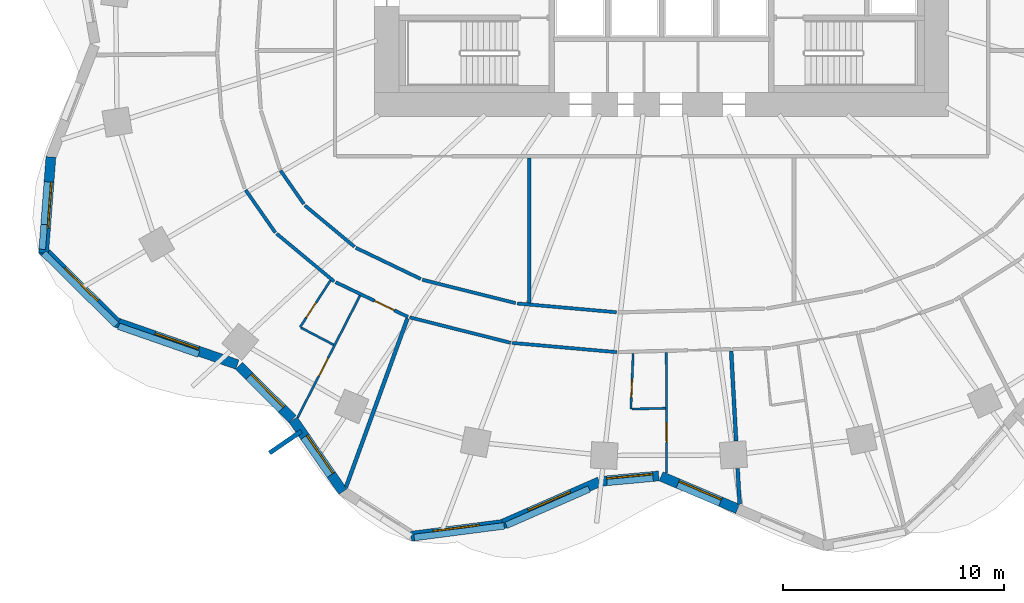
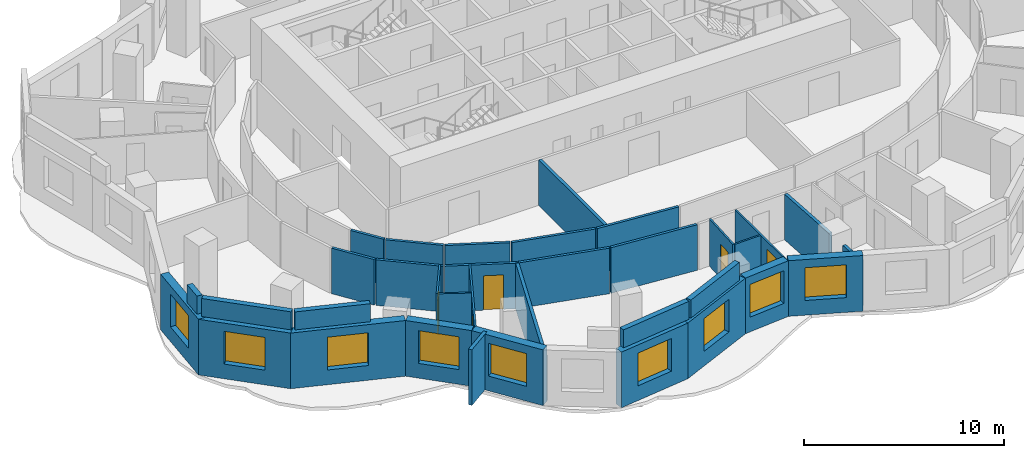
# One storey, part 3 of 10: 35 walls, 9 windows, 5 doors, 14 openings.
"""IFC4 building model written with IfcOpenShell, lengths in metres."""

from ifc_helpers import new_model, si_unit, direction, frame, frame_2d, origin, place, context, subcontext, project, spatial, rectangle, extrude, material, layer, layer_set, type_object, element, fill, save


model = new_model("IFC4")

# Units and contexts
model_context = context("Model", 3, precision=1e-05, world=origin(), true_north=direction((0.0, 1.0)))
body_context = subcontext(model_context, "Body", "Model", "MODEL_VIEW")
ifc_project = project(units=[si_unit("LENGTHUNIT", "METRE"), si_unit("AREAUNIT", "SQUARE_METRE"), si_unit("VOLUMEUNIT", "CUBIC_METRE"), si_unit("PLANEANGLEUNIT", "RADIAN"), si_unit("MASSUNIT", "GRAM", prefix="KILO")], contexts=[model_context])

# Site, building, storey
site_placement = place(None, origin())
site = spatial("IfcSite", under=ifc_project, at=site_placement, CompositionType="ELEMENT")
building_placement = place(site_placement, origin())
building = spatial("IfcBuilding", under=site, at=building_placement, Name="Rubra Terraces Tower", CompositionType="ELEMENT")
storey_placement = place(building_placement, frame((0.0, 0.0, 110.39990234375)))
storey = spatial("IfcBuildingStorey", under=building, at=storey_placement, Name="L26", CompositionType="ELEMENT", Elevation=110.39990234375)

# Walls
ifc_material_1 = material(Name="Twin plasterboard on staggered steel stud, acoustic mineral wool", Category="steel")
ifc_layer_1 = layer(ifc_material_1, 0.175048828125)
ifc_layer_set_1 = layer_set([ifc_layer_1], Name="Twin plasterboard on staggered steel stud, acoustic mineral wool")
wall_type_1 = type_object("IfcWallType", Name="ACOUSTIC PARTY WALL 175", PredefinedType="PARTITIONING", material=ifc_layer_set_1)
wall_1_placement = place(storey_placement, frame((-14.30078125, -19.7890625, 0.0), z_axis=(0.0, 0.0, 1.0), x_axis=(0.342254048829, 0.939607453174, 0.0)))
element("IfcWall", 1, at=wall_1_placement, inside=storey, type_object=wall_type_1, Name="PARTITION", PredefinedType="PARTITIONING", context=body_context, shape_type="SweptSolid", body=[
    extrude(rectangle(XDim=8.132080078125, YDim=0.175048828125, at=frame_2d((4.06591796875, 0.0))), origin(), (0.0, 0.0, 1.0), 2.7841796875),
])
wall_2_placement = place(storey_placement, frame((3.5322265625, -20.56591796875, 0.0), z_axis=(0.0, 0.0, 1.0), x_axis=(-0.054855735566, 0.998494290557, 0.0)))
element("IfcWall", 2, at=wall_2_placement, inside=storey, type_object=wall_type_1, Name="PARTITION", PredefinedType="PARTITIONING", context=body_context, shape_type="SweptSolid", body=[
    extrude(rectangle(XDim=1.62890625, YDim=0.175048828125, at=frame_2d((0.814453125, 0.0))), origin(), (0.0, 0.0, 1.0), 2.7841796875),
])
wall_3_placement = place(storey_placement, frame((3.374755859375, -17.701171875, 0.0), z_axis=(0.0, 0.0, 1.0), x_axis=(-0.054881910862, 0.998492852183, 0.0)))
element("IfcWall", 3, at=wall_3_placement, inside=storey, type_object=wall_type_1, Name="PARTITION", PredefinedType="PARTITIONING", context=body_context, shape_type="SweptSolid", body=[
    extrude(rectangle(XDim=4.092529296875, YDim=0.175048828125, at=frame_2d((2.04638671875, 0.0))), origin(), (0.0, 0.0, 1.0), 2.7841796875),
])
wall_4_placement = place(storey_placement, frame((-6.0, -11.4423828125, 0.0), z_axis=(0.0, 0.0, 1.0), x_axis=(0.0, 1.0, 0.0)))
element("IfcWall", 4, at=wall_4_placement, inside=storey, type_object=wall_type_1, Name="PARTITION", PredefinedType="PARTITIONING", context=body_context, shape_type="SweptSolid", body=[
    extrude(rectangle(XDim=6.5673828125, YDim=0.175048828125, at=frame_2d((3.28369140625, 0.0))), origin(), (0.0, 0.0, 1.0), 2.7841796875),
])

# Wall, opening, window
ifc_material_2 = material(Name="Brick masonry red-brown", Category="masonry")
ifc_layer_2 = layer(ifc_material_2, 0.449951171875)
ifc_layer_set_2 = layer_set([ifc_layer_2], Name="Brick masonry red-brown")
wall_type_2 = type_object("IfcWallType", Name="Brick facade wall 450", PredefinedType="SOLIDWALL", material=ifc_layer_set_2)
wall_5_placement = place(storey_placement, frame((-27.671142578125, -4.831298828125, 0.0), z_axis=(0.0, 0.0, 1.0), x_axis=(-0.075658122047, -0.997133816781, 0.0)))
wall_5 = element("IfcWall", 5, at=wall_5_placement, inside=storey, type_object=wall_type_2, Name="Facade wall L26 bay 22", PredefinedType="SOLIDWALL", context=body_context, shape_type="SweptSolid", body=[
    extrude(rectangle(XDim=4.369140625, YDim=0.449951171875, at=frame_2d((2.1845703125, 0.0))), origin(), (0.0, 0.0, 1.0), 3.400146484375),
])
opening_1_placement = place(wall_5_placement, frame((1.134521484375, 0.0, 0.89990234375)))
opening_1 = element("IfcOpeningElement", 6, at=opening_1_placement, cuts=wall_5, Name="Opening W1", PredefinedType="OPENING", context=body_context, shape_type="SweptSolid", body=[
    extrude(rectangle(XDim=2.10009765625, YDim=2.0, at=frame_2d((1.050048828125, 1.0))), frame((0.0, 0.23486328125, 0.0), z_axis=(0.0, -1.0, 0.0), x_axis=(1.0, 0.0, 0.0)), (0.0, 0.0, 1.0), 0.469970703125),
])
ifc_material_3 = material(Name="Clear glass in aluminium frame", Category="aluminium")
window_type = type_object("IfcWindowType", Name="Fixed deep-set window 2100 x 2000", PartitioningType="SINGLE_PANEL", PredefinedType="WINDOW", material=ifc_material_3)
window_1_placement = place(opening_1_placement, origin())
window_1 = element("IfcWindow", 7, at=window_1_placement, inside=storey, type_object=window_type, Name="Window L26 bay 22", OverallHeight=2.0, OverallWidth=2.10009765625, PartitioningType="SINGLE_PANEL", PredefinedType="WINDOW", context=body_context, shape_type="SweptSolid", body=[
    extrude(rectangle(XDim=2.10009765625, YDim=2.0, at=frame_2d((1.050048828125, 1.0))), frame((0.0, 0.135009765625, 0.0), z_axis=(0.0, -1.0, 0.0), x_axis=(1.0, 0.0, 0.0)), (0.0, 0.0, 1.0), 0.06005859375),
])
fill(opening_1, window_1)

wall_6_placement = place(storey_placement, frame((-28.06787109375, -9.010986328125, 0.0), z_axis=(0.0, 0.0, 1.0), x_axis=(0.711293453435, -0.702895172199, 0.0)))
wall_6 = element("IfcWall", 8, at=wall_6_placement, inside=storey, type_object=wall_type_2, Name="Facade wall L26 bay 23", PredefinedType="SOLIDWALL", context=body_context, shape_type="SweptSolid", body=[
    extrude(rectangle(XDim=4.767578125, YDim=0.449951171875, at=frame_2d((2.3837890625, 0.0))), origin(), (0.0, 0.0, 1.0), 3.400146484375),
])
opening_2_placement = place(wall_6_placement, frame((1.333740234375, 0.0, 0.89990234375)))
opening_2 = element("IfcOpeningElement", 9, at=opening_2_placement, cuts=wall_6, Name="Opening W1", PredefinedType="OPENING", context=body_context, shape_type="SweptSolid", body=[
    extrude(rectangle(XDim=2.10009765625, YDim=2.0, at=frame_2d((1.050048828125, 1.0))), frame((0.0, 0.23486328125, 0.0), z_axis=(0.0, -1.0, 0.0), x_axis=(1.0, 0.0, 0.0)), (0.0, 0.0, 1.0), 0.469970703125),
])
window_2_placement = place(opening_2_placement, origin())
window_2 = element("IfcWindow", 10, at=window_2_placement, inside=storey, type_object=window_type, Name="Window L26 bay 23", OverallHeight=2.0, OverallWidth=2.10009765625, PartitioningType="SINGLE_PANEL", PredefinedType="WINDOW", context=body_context, shape_type="SweptSolid", body=[
    extrude(rectangle(XDim=2.10009765625, YDim=2.0, at=frame_2d((1.050048828125, 1.0))), frame((0.0, 0.135009765625, 0.0), z_axis=(0.0, -1.0, 0.0), x_axis=(1.0, 0.0, 0.0)), (0.0, 0.0, 1.0), 0.06005859375),
])
fill(opening_2, window_2)

wall_7_placement = place(storey_placement, frame((-24.760986328125, -12.309814453125, 0.0), z_axis=(0.0, 0.0, 1.0), x_axis=(0.944397305248, -0.328806523414, 0.0)))
wall_7 = element("IfcWall", 11, at=wall_7_placement, inside=storey, type_object=wall_type_2, Name="Facade wall L26 bay 24", PredefinedType="SOLIDWALL", context=body_context, shape_type="SweptSolid", body=[
    extrude(rectangle(XDim=5.862060546875, YDim=0.449951171875, at=frame_2d((2.93115234375, 0.0))), origin(), (0.0, 0.0, 1.0), 3.400146484375),
])
opening_3_placement = place(wall_7_placement, frame((1.881103515625, 0.0, 0.89990234375)))
opening_3 = element("IfcOpeningElement", 12, at=opening_3_placement, cuts=wall_7, Name="Opening W1", PredefinedType="OPENING", context=body_context, shape_type="SweptSolid", body=[
    extrude(rectangle(XDim=2.10009765625, YDim=2.0, at=frame_2d((1.050048828125, 1.0))), frame((0.0, 0.23486328125, 0.0), z_axis=(0.0, -1.0, 0.0), x_axis=(1.0, 0.0, 0.0)), (0.0, 0.0, 1.0), 0.469970703125),
])
window_3_placement = place(opening_3_placement, origin())
window_3 = element("IfcWindow", 13, at=window_3_placement, inside=storey, type_object=window_type, Name="Window L26 bay 24", OverallHeight=2.0, OverallWidth=2.10009765625, PartitioningType="SINGLE_PANEL", PredefinedType="WINDOW", context=body_context, shape_type="SweptSolid", body=[
    extrude(rectangle(XDim=2.10009765625, YDim=2.0, at=frame_2d((1.050048828125, 1.0))), frame((0.0, 0.135009765625, 0.0), z_axis=(0.0, -1.0, 0.0), x_axis=(1.0, 0.0, 0.0)), (0.0, 0.0, 1.0), 0.06005859375),
])
fill(opening_3, window_3)

wall_8_placement = place(storey_placement, frame((-19.145263671875, -14.285400390625, 0.0), z_axis=(0.0, 0.0, 1.0), x_axis=(0.707427521052, -0.706785895769, 0.0)))
wall_8 = element("IfcWall", 14, at=wall_8_placement, inside=storey, type_object=wall_type_2, Name="Facade wall L26 bay 25", PredefinedType="SOLIDWALL", context=body_context, shape_type="SweptSolid", body=[
    extrude(rectangle(XDim=3.424560546875, YDim=0.449951171875, at=frame_2d((1.71240234375, 0.0))), origin(), (0.0, 0.0, 1.0), 3.400146484375),
])
opening_4_placement = place(wall_8_placement, frame((0.662353515625, 0.0, 0.89990234375)))
opening_4 = element("IfcOpeningElement", 15, at=opening_4_placement, cuts=wall_8, Name="Opening W1", PredefinedType="OPENING", context=body_context, shape_type="SweptSolid", body=[
    extrude(rectangle(XDim=2.10009765625, YDim=2.0, at=frame_2d((1.050048828125, 1.0))), frame((0.0, 0.23486328125, 0.0), z_axis=(0.0, -1.0, 0.0), x_axis=(1.0, 0.0, 0.0)), (0.0, 0.0, 1.0), 0.469970703125),
])
window_4_placement = place(opening_4_placement, origin())
window_4 = element("IfcWindow", 16, at=window_4_placement, inside=storey, type_object=window_type, Name="Window L26 bay 25", OverallHeight=2.0, OverallWidth=2.10009765625, PartitioningType="SINGLE_PANEL", PredefinedType="WINDOW", context=body_context, shape_type="SweptSolid", body=[
    extrude(rectangle(XDim=2.10009765625, YDim=2.0, at=frame_2d((1.050048828125, 1.0))), frame((0.0, 0.135009765625, 0.0), z_axis=(0.0, -1.0, 0.0), x_axis=(1.0, 0.0, 0.0)), (0.0, 0.0, 1.0), 0.06005859375),
])
fill(opening_4, window_4)

wall_9_placement = place(storey_placement, frame((-16.695068359375, -16.73681640625, 0.0), z_axis=(0.0, 0.0, 1.0), x_axis=(0.569652445465, -0.821885692402, 0.0)))
wall_9 = element("IfcWall", 17, at=wall_9_placement, inside=storey, type_object=wall_type_2, Name="Facade wall L26 bay 26", PredefinedType="SOLIDWALL", context=body_context, shape_type="SweptSolid", body=[
    extrude(rectangle(XDim=3.958740234375, YDim=0.449951171875, at=frame_2d((1.9794921875, 0.0))), origin(), (0.0, 0.0, 1.0), 3.400146484375),
])
opening_5_placement = place(wall_9_placement, frame((0.929443359375, 0.0, 0.89990234375)))
opening_5 = element("IfcOpeningElement", 18, at=opening_5_placement, cuts=wall_9, Name="Opening W1", PredefinedType="OPENING", context=body_context, shape_type="SweptSolid", body=[
    extrude(rectangle(XDim=2.10009765625, YDim=2.0, at=frame_2d((1.050048828125, 1.0))), frame((0.0, 0.23486328125, 0.0), z_axis=(0.0, -1.0, 0.0), x_axis=(1.0, 0.0, 0.0)), (0.0, 0.0, 1.0), 0.469970703125),
])
window_5_placement = place(opening_5_placement, origin())
window_5 = element("IfcWindow", 19, at=window_5_placement, inside=storey, type_object=window_type, Name="Window L26 bay 26", OverallHeight=2.0, OverallWidth=2.10009765625, PartitioningType="SINGLE_PANEL", PredefinedType="WINDOW", context=body_context, shape_type="SweptSolid", body=[
    extrude(rectangle(XDim=2.10009765625, YDim=2.0, at=frame_2d((1.050048828125, 1.0))), frame((0.0, 0.135009765625, 0.0), z_axis=(0.0, -1.0, 0.0), x_axis=(1.0, 0.0, 0.0)), (0.0, 0.0, 1.0), 0.06005859375),
])
fill(opening_5, window_5)

wall_10_placement = place(storey_placement, frame((-11.36181640625, -22.017822265625, 0.0), z_axis=(0.0, 0.0, 1.0), x_axis=(0.991724958022, 0.128380713645, 0.0)))
wall_10 = element("IfcWall", 20, at=wall_10_placement, inside=storey, type_object=wall_type_2, Name="Facade wall L26 bay 28", PredefinedType="SOLIDWALL", context=body_context, shape_type="SweptSolid", body=[
    extrude(rectangle(XDim=4.181884765625, YDim=0.449951171875, at=frame_2d((2.0908203125, 0.0))), origin(), (0.0, 0.0, 1.0), 3.400146484375),
])
opening_6_placement = place(wall_10_placement, frame((1.041015625, 0.0, 0.89990234375)))
opening_6 = element("IfcOpeningElement", 21, at=opening_6_placement, cuts=wall_10, Name="Opening W1", PredefinedType="OPENING", context=body_context, shape_type="SweptSolid", body=[
    extrude(rectangle(XDim=2.10009765625, YDim=2.0, at=frame_2d((1.050048828125, 1.0))), frame((0.0, 0.23486328125, 0.0), z_axis=(0.0, -1.0, 0.0), x_axis=(1.0, 0.0, 0.0)), (0.0, 0.0, 1.0), 0.469970703125),
])
window_6_placement = place(opening_6_placement, origin())
window_6 = element("IfcWindow", 22, at=window_6_placement, inside=storey, type_object=window_type, Name="Window L26 bay 28", OverallHeight=2.0, OverallWidth=2.10009765625, PartitioningType="SINGLE_PANEL", PredefinedType="WINDOW", context=body_context, shape_type="SweptSolid", body=[
    extrude(rectangle(XDim=2.10009765625, YDim=2.0, at=frame_2d((1.050048828125, 1.0))), frame((0.0, 0.135009765625, 0.0), z_axis=(0.0, -1.0, 0.0), x_axis=(1.0, 0.0, 0.0)), (0.0, 0.0, 1.0), 0.06005859375),
])
fill(opening_6, window_6)

wall_11_placement = place(storey_placement, frame((-7.27587890625, -21.498046875, 0.0), z_axis=(0.0, 0.0, 1.0), x_axis=(0.915872941312, 0.401468249519, 0.0)))
wall_11 = element("IfcWall", 23, at=wall_11_placement, inside=storey, type_object=wall_type_2, Name="Facade wall L26 bay 29", PredefinedType="SOLIDWALL", context=body_context, shape_type="SweptSolid", body=[
    extrude(rectangle(XDim=4.870361328125, YDim=0.449951171875, at=frame_2d((2.43505859375, 0.0))), origin(), (0.0, 0.0, 1.0), 3.400146484375),
])
opening_7_placement = place(wall_11_placement, frame((1.38525390625, 0.0, 0.89990234375)))
opening_7 = element("IfcOpeningElement", 24, at=opening_7_placement, cuts=wall_11, Name="Opening W1", PredefinedType="OPENING", context=body_context, shape_type="SweptSolid", body=[
    extrude(rectangle(XDim=2.10009765625, YDim=2.0, at=frame_2d((1.050048828125, 1.0))), frame((0.0, 0.23486328125, 0.0), z_axis=(0.0, -1.0, 0.0), x_axis=(1.0, 0.0, 0.0)), (0.0, 0.0, 1.0), 0.469970703125),
])
window_7_placement = place(opening_7_placement, origin())
window_7 = element("IfcWindow", 25, at=window_7_placement, inside=storey, type_object=window_type, Name="Window L26 bay 29", OverallHeight=2.0, OverallWidth=2.10009765625, PartitioningType="SINGLE_PANEL", PredefinedType="WINDOW", context=body_context, shape_type="SweptSolid", body=[
    extrude(rectangle(XDim=2.10009765625, YDim=2.0, at=frame_2d((1.050048828125, 1.0))), frame((0.0, 0.135009765625, 0.0), z_axis=(0.0, -1.0, 0.0), x_axis=(1.0, 0.0, 0.0)), (0.0, 0.0, 1.0), 0.06005859375),
])
fill(opening_7, window_7)

wall_12_placement = place(storey_placement, frame((-2.745361328125, -19.52490234375, 0.0), z_axis=(0.0, 0.0, 1.0), x_axis=(0.995768774275, 0.091894222771, 0.0)))
wall_12 = element("IfcWall", 26, at=wall_12_placement, inside=storey, type_object=wall_type_2, Name="Facade wall L26 bay 30", PredefinedType="SOLIDWALL", context=body_context, shape_type="SweptSolid", body=[
    extrude(rectangle(XDim=2.624755859375, YDim=0.449951171875, at=frame_2d((1.3125, 0.0))), origin(), (0.0, 0.0, 1.0), 3.400146484375),
])
opening_8_placement = place(wall_12_placement, frame((0.262451171875, 0.0, 0.89990234375)))
opening_8 = element("IfcOpeningElement", 27, at=opening_8_placement, cuts=wall_12, Name="Opening W1", PredefinedType="OPENING", context=body_context, shape_type="SweptSolid", body=[
    extrude(rectangle(XDim=2.10009765625, YDim=2.0, at=frame_2d((1.050048828125, 1.0))), frame((0.0, 0.23486328125, 0.0), z_axis=(0.0, -1.0, 0.0), x_axis=(1.0, 0.0, 0.0)), (0.0, 0.0, 1.0), 0.469970703125),
])
window_8_placement = place(opening_8_placement, origin())
window_8 = element("IfcWindow", 28, at=window_8_placement, inside=storey, type_object=window_type, Name="Window L26 bay 30", OverallHeight=2.0, OverallWidth=2.10009765625, PartitioningType="SINGLE_PANEL", PredefinedType="WINDOW", context=body_context, shape_type="SweptSolid", body=[
    extrude(rectangle(XDim=2.10009765625, YDim=2.0, at=frame_2d((1.050048828125, 1.0))), frame((0.0, 0.135009765625, 0.0), z_axis=(0.0, -1.0, 0.0), x_axis=(1.0, 0.0, 0.0)), (0.0, 0.0, 1.0), 0.06005859375),
])
fill(opening_8, window_8)

wall_13_placement = place(storey_placement, frame((-0.0263671875, -19.29931640625, 0.0), z_axis=(0.0, 0.0, 1.0), x_axis=(0.920040408927, -0.391823488245, 0.0)))
wall_13 = element("IfcWall", 29, at=wall_13_placement, inside=storey, type_object=wall_type_2, Name="Facade wall L26 bay 31", PredefinedType="SOLIDWALL", context=body_context, shape_type="SweptSolid", body=[
    extrude(rectangle(XDim=3.769775390625, YDim=0.449951171875, at=frame_2d((1.884765625, 0.0))), origin(), (0.0, 0.0, 1.0), 3.400146484375),
])
opening_9_placement = place(wall_13_placement, frame((0.8349609375, 0.0, 0.89990234375)))
opening_9 = element("IfcOpeningElement", 30, at=opening_9_placement, cuts=wall_13, Name="Opening W1", PredefinedType="OPENING", context=body_context, shape_type="SweptSolid", body=[
    extrude(rectangle(XDim=2.10009765625, YDim=2.0, at=frame_2d((1.050048828125, 1.0))), frame((0.0, 0.23486328125, 0.0), z_axis=(0.0, -1.0, 0.0), x_axis=(1.0, 0.0, 0.0)), (0.0, 0.0, 1.0), 0.469970703125),
])
window_9_placement = place(opening_9_placement, origin())
window_9 = element("IfcWindow", 31, at=window_9_placement, inside=storey, type_object=window_type, Name="Window L26 bay 31", OverallHeight=2.0, OverallWidth=2.10009765625, PartitioningType="SINGLE_PANEL", PredefinedType="WINDOW", context=body_context, shape_type="SweptSolid", body=[
    extrude(rectangle(XDim=2.10009765625, YDim=2.0, at=frame_2d((1.050048828125, 1.0))), frame((0.0, 0.135009765625, 0.0), z_axis=(0.0, -1.0, 0.0), x_axis=(1.0, 0.0, 0.0)), (0.0, 0.0, 1.0), 0.06005859375),
])
fill(opening_9, window_9)

# Walls
ifc_layer_3 = layer(ifc_material_2, 0.300048828125)
ifc_layer_set_3 = layer_set([ifc_layer_3], Name="Brick masonry red-brown")
wall_type_3 = type_object("IfcWallType", Name="Brick parapet 300", PredefinedType="PARAPET", material=ifc_layer_set_3)
wall_14_placement = place(storey_placement, frame((-27.978515625, -7.892333984375, 3.60009765625), z_axis=(0.0, 0.0, 1.0), x_axis=(-0.075750382553, -0.997126812167, 0.0)))
element("IfcWall", 32, at=wall_14_placement, inside=storey, type_object=wall_type_3, Name="Parapet L26 bay 22", PredefinedType="PARAPET", context=body_context, shape_type="SweptSolid", body=[
    extrude(rectangle(XDim=1.124755859375, YDim=0.300048828125, at=frame_2d((0.5625, 0.0))), origin(), (0.0, 0.0, 1.0), 1.10009765625),
])
wall_15_placement = place(storey_placement, frame((-28.00048828125, -9.18310546875, 3.60009765625), z_axis=(0.0, 0.0, 1.0), x_axis=(0.711291435321, -0.702897214419, 0.0)))
element("IfcWall", 33, at=wall_15_placement, inside=storey, type_object=wall_type_3, Name="Parapet L26 bay 23", PredefinedType="PARAPET", context=body_context, shape_type="SweptSolid", body=[
    extrude(rectangle(XDim=4.62451171875, YDim=0.300048828125, at=frame_2d((2.312255859375, 0.0))), origin(), (0.0, 0.0, 1.0), 1.10009765625),
])
wall_16_placement = place(storey_placement, frame((-24.605224609375, -12.49951171875, 3.60009765625), z_axis=(0.0, 0.0, 1.0), x_axis=(0.944373295981, -0.328875474668, 0.0)))
element("IfcWall", 34, at=wall_16_placement, inside=storey, type_object=wall_type_3, Name="Parapet L26 bay 24", PredefinedType="PARAPET", context=body_context, shape_type="SweptSolid", body=[
    extrude(rectangle(XDim=3.84228515625, YDim=0.300048828125, at=frame_2d((1.921142578125, 0.0))), origin(), (0.0, 0.0, 1.0), 1.10009765625),
])
wall_17_placement = place(storey_placement, frame((-11.2138671875, -22.07421875, 3.60009765625), z_axis=(0.0, 0.0, 1.0), x_axis=(0.991727449614, 0.128361464939, 0.0)))
element("IfcWall", 35, at=wall_17_placement, inside=storey, type_object=wall_type_3, Name="Parapet L26 bay 28", PredefinedType="PARAPET", context=body_context, shape_type="SweptSolid", body=[
    extrude(rectangle(XDim=4.110107421875, YDim=0.300048828125, at=frame_2d((2.05517578125, 0.0))), origin(), (0.0, 0.0, 1.0), 1.10009765625),
])
wall_18_placement = place(storey_placement, frame((-7.039306640625, -21.519287109375, 3.60009765625), z_axis=(0.0, 0.0, 1.0), x_axis=(0.915890739732, 0.401427643384, 0.0)))
element("IfcWall", 36, at=wall_18_placement, inside=storey, type_object=wall_type_3, Name="Parapet L26 bay 29", PredefinedType="PARAPET", context=body_context, shape_type="SweptSolid", body=[
    extrude(rectangle(XDim=4.1015625, YDim=0.300048828125, at=frame_2d((2.05078125, 0.0))), origin(), (0.0, 0.0, 1.0), 1.10009765625),
])
ifc_layer_4 = layer(ifc_material_2, 0.199951171875)
ifc_layer_set_4 = layer_set([ifc_layer_4], Name="Brick masonry red-brown")
wall_type_4 = type_object("IfcWallType", Name="Brick wind fin 200", PredefinedType="SOLIDWALL", material=ifc_layer_set_4)
wall_19_placement = place(storey_placement, frame((-16.322021484375, -17.2529296875, 0.0), z_axis=(0.0, 0.0, 1.0), x_axis=(-0.824440606412, -0.565948483962, 0.0)))
element("IfcWall", 37, at=wall_19_placement, inside=storey, type_object=wall_type_4, Name="Wind fin L26 16", PredefinedType="SOLIDWALL", context=body_context, shape_type="SweptSolid", body=[
    extrude(rectangle(XDim=1.75, YDim=0.199951171875, at=frame_2d((0.875, 0.0))), origin(), (0.0, 0.0, 1.0), 3.400146484375),
])
ifc_material_4 = material(Name="Plasterboard on steel stud, mineral wool infill", Category="steel")
ifc_layer_5 = layer(ifc_material_4, 0.14990234375)
ifc_layer_set_5 = layer_set([ifc_layer_5], Name="Plasterboard on steel stud, mineral wool infill")
wall_type_5 = type_object("IfcWallType", Name="CORRIDOR PARTITION 150", PredefinedType="PARTITIONING", material=ifc_layer_set_5)
wall_20_placement = place(storey_placement, frame((-18.85107421875, -6.324951171875, 0.0), z_axis=(0.0, 0.0, 1.0), x_axis=(0.572090775968, -0.820190309656, 0.0)))
element("IfcWall", 38, at=wall_20_placement, inside=storey, type_object=wall_type_5, Name="PARTITION", PredefinedType="PARTITIONING", context=body_context, shape_type="SweptSolid", body=[
    extrude(rectangle(XDim=2.354736328125, YDim=0.14990234375, at=frame_2d((1.17724609375, 0.0))), origin(), (0.0, 0.0, 1.0), 2.7841796875),
])
wall_21_placement = place(storey_placement, frame((-17.4462890625, -8.30419921875, 0.0), z_axis=(0.0, 0.0, 1.0), x_axis=(0.769200174495, -0.639007896318, 0.0)))
element("IfcWall", 39, at=wall_21_placement, inside=storey, type_object=wall_type_5, Name="PARTITION", PredefinedType="PARTITIONING", context=body_context, shape_type="SweptSolid", body=[
    extrude(rectangle(XDim=3.390380859375, YDim=0.14990234375, at=frame_2d((1.6953125, 0.0))), origin(), (0.0, 0.0, 1.0), 2.7841796875),
])

# Wall, opening, door
wall_22_placement = place(storey_placement, frame((-14.77099609375, -10.50341796875, 0.0), z_axis=(0.0, 0.0, 1.0), x_axis=(0.901506299534, -0.432765978216, 0.0)))
wall_22 = element("IfcWall", 40, at=wall_22_placement, inside=storey, type_object=wall_type_5, Name="PARTITION", PredefinedType="PARTITIONING", context=body_context, shape_type="SweptSolid", body=[
    extrude(rectangle(XDim=3.6376953125, YDim=0.14990234375, at=frame_2d((1.81884765625, 0.0))), origin(), (0.0, 0.0, 1.0), 2.7841796875),
])
opening_10_placement = place(wall_22_placement, frame((1.948974609375, 0.0, 0.0)))
opening_10 = element("IfcOpeningElement", 41, at=opening_10_placement, cuts=wall_22, Name="Opening 26-103", PredefinedType="OPENING", context=body_context, shape_type="SweptSolid", body=[
    extrude(rectangle(XDim=1.0, YDim=2.10009765625, at=frame_2d((0.5, 1.050048828125))), frame((0.0, 0.0849609375, 0.0), z_axis=(0.0, -1.0, 0.0), x_axis=(1.0, 0.0, 0.0)), (0.0, 0.0, 1.0), 0.169921875),
])
ifc_material_5 = material(Name="Painted timber door leaf", Category="wood")
door_type_1 = type_object("IfcDoorType", Name="ROOM DOOR 1000 X 2100", OperationType="SINGLE_SWING_LEFT", PredefinedType="DOOR", material=ifc_material_5)
door_1_placement = place(opening_10_placement, origin())
door_1 = element("IfcDoor", 42, at=door_1_placement, inside=storey, type_object=door_type_1, Name="DOOR 26-103", OperationType="SINGLE_SWING_RIGHT", OverallHeight=2.10009765625, OverallWidth=1.0, PredefinedType="DOOR", context=body_context, shape_type="SweptSolid", body=[
    extrude(rectangle(XDim=1.0, YDim=2.10009765625, at=frame_2d((0.5, 1.050048828125))), frame((0.0, 0.02490234375, 0.0), z_axis=(0.0, -1.0, 0.0), x_axis=(1.0, 0.0, 0.0)), (0.0, 0.0, 1.0), 0.050048828125),
])
fill(opening_10, door_1)

# Walls
wall_23_placement = place(storey_placement, frame((-11.419189453125, -12.095947265625, 0.0), z_axis=(0.0, 0.0, 1.0), x_axis=(0.969625924548, -0.244592654109, 0.0)))
element("IfcWall", 43, at=wall_23_placement, inside=storey, type_object=wall_type_5, Name="PARTITION", PredefinedType="PARTITIONING", context=body_context, shape_type="SweptSolid", body=[
    extrude(rectangle(XDim=4.71826171875, YDim=0.14990234375, at=frame_2d((2.359130859375, 0.0))), origin(), (0.0, 0.0, 1.0), 2.7841796875),
])
wall_24_placement = place(storey_placement, frame((-6.76953125, -13.256591796875, 0.0), z_axis=(0.0, 0.0, 1.0), x_axis=(0.996139758015, -0.08778144737, 0.0)))
element("IfcWall", 44, at=wall_24_placement, inside=storey, type_object=wall_type_5, Name="PARTITION", PredefinedType="PARTITIONING", context=body_context, shape_type="SweptSolid", body=[
    extrude(rectangle(XDim=4.755859375, YDim=0.14990234375, at=frame_2d((2.3779296875, 0.0))), origin(), (0.0, 0.0, 1.0), 2.7841796875),
])
wall_25_placement = place(storey_placement, frame((-2.05078125, -11.865478515625, 0.0), z_axis=(0.0, 0.0, 1.0), x_axis=(-0.996139599493, 0.087783246245, 0.0)))
element("IfcWall", 45, at=wall_25_placement, inside=storey, type_object=wall_type_5, Name="PARTITION", PredefinedType="PARTITIONING", context=body_context, shape_type="SweptSolid", body=[
    extrude(rectangle(XDim=4.510986328125, YDim=0.14990234375, at=frame_2d((2.25537109375, 0.0))), origin(), (0.0, 0.0, 1.0), 2.7841796875),
])
wall_26_placement = place(storey_placement, frame((-6.6171875, -11.451416015625, 0.0), z_axis=(0.0, 0.0, 1.0), x_axis=(-0.969987441267, 0.243155020069, 0.0)))
element("IfcWall", 46, at=wall_26_placement, inside=storey, type_object=wall_type_5, Name="PARTITION", PredefinedType="PARTITIONING", context=body_context, shape_type="SweptSolid", body=[
    extrude(rectangle(XDim=4.358642578125, YDim=0.14990234375, at=frame_2d((2.17919921875, 0.0))), origin(), (0.0, 0.0, 1.0), 2.7841796875),
])
wall_27_placement = place(storey_placement, frame((-10.91259765625, -10.35888671875, 0.0), z_axis=(0.0, 0.0, 1.0), x_axis=(-0.90149741277, 0.432784489982, 0.0)))
element("IfcWall", 47, at=wall_27_placement, inside=storey, type_object=wall_type_5, Name="PARTITION", PredefinedType="PARTITIONING", context=body_context, shape_type="SweptSolid", body=[
    extrude(rectangle(XDim=3.2685546875, YDim=0.14990234375, at=frame_2d((1.63427734375, 0.0))), origin(), (0.0, 0.0, 1.0), 2.7841796875),
])
wall_28_placement = place(storey_placement, frame((-13.916748046875, -8.896484375, 0.0), z_axis=(0.0, 0.0, 1.0), x_axis=(-0.769130409479, 0.639091866021, 0.0)))
element("IfcWall", 48, at=wall_28_placement, inside=storey, type_object=wall_type_5, Name="PARTITION", PredefinedType="PARTITIONING", context=body_context, shape_type="SweptSolid", body=[
    extrude(rectangle(XDim=2.925048828125, YDim=0.14990234375, at=frame_2d((1.46240234375, 0.0))), origin(), (0.0, 0.0, 1.0), 2.7841796875),
])
wall_29_placement = place(storey_placement, frame((-16.20947265625, -6.9658203125, 0.0), z_axis=(0.0, 0.0, 1.0), x_axis=(-0.572051367607, 0.820217795966, 0.0)))
element("IfcWall", 49, at=wall_29_placement, inside=storey, type_object=wall_type_5, Name="PARTITION", PredefinedType="PARTITIONING", context=body_context, shape_type="SweptSolid", body=[
    extrude(rectangle(XDim=1.84765625, YDim=0.14990234375, at=frame_2d((0.923828125, 0.0))), origin(), (0.0, 0.0, 1.0), 2.7841796875),
])

# Wall, opening, door
ifc_material_6 = material(Name="Plasterboard on steel stud", Category="steel")
ifc_layer_6 = layer(ifc_material_6, 0.10009765625)
ifc_layer_set_6 = layer_set([ifc_layer_6], Name="Plasterboard on steel stud")
wall_type_6 = type_object("IfcWallType", Name="ROOM PARTITION 100", PredefinedType="PARTITIONING", material=ifc_layer_set_6)
wall_30_placement = place(storey_placement, frame((-16.4921875, -16.634521484375, 0.0), z_axis=(0.0, 0.0, 1.0), x_axis=(0.455543309506, 0.890213622208, 0.0)))
wall_30 = element("IfcWall", 50, at=wall_30_placement, inside=storey, type_object=wall_type_6, Name="PARTITION", PredefinedType="PARTITIONING", context=body_context, shape_type="SweptSolid", body=[
    extrude(rectangle(XDim=6.19921875, YDim=0.10009765625, at=frame_2d((3.099609375, 0.0))), origin(), (0.0, 0.0, 1.0), 2.884033203125),
])
opening_11_placement = place(wall_30_placement, frame((2.1240234375, 0.0, 0.0)))
opening_11 = element("IfcOpeningElement", 51, at=opening_11_placement, cuts=wall_30, Name="Opening 26-102", PredefinedType="OPENING", context=body_context, shape_type="SweptSolid", body=[
    extrude(rectangle(XDim=0.89990234375, YDim=2.39990234375, at=frame_2d((0.449951171875, 1.199951171875))), frame((0.0, 0.06005859375, 0.0), z_axis=(0.0, -1.0, 0.0), x_axis=(1.0, 0.0, 0.0)), (0.0, 0.0, 1.0), 0.1201171875),
])
ifc_material_7 = material(Name="Veneered timber door leaf, fire-rated", Category="wood")
door_type_2 = type_object("IfcDoorType", Name="SUITE ENTRANCE DOOR 900 X 2400", OperationType="SINGLE_SWING_LEFT", PredefinedType="DOOR", material=ifc_material_7)
door_2_placement = place(opening_11_placement, origin())
door_2 = element("IfcDoor", 52, at=door_2_placement, inside=storey, type_object=door_type_2, Name="DOOR 26-102", OperationType="SINGLE_SWING_LEFT", OverallHeight=2.39990234375, OverallWidth=0.89990234375, PredefinedType="DOOR", context=body_context, shape_type="SweptSolid", body=[
    extrude(rectangle(XDim=0.89990234375, YDim=2.39990234375, at=frame_2d((0.449951171875, 1.199951171875))), frame((0.0, 0.02490234375, 0.0), z_axis=(0.0, -1.0, 0.0), x_axis=(1.0, 0.0, 0.0)), (0.0, 0.0, 1.0), 0.050048828125),
])
fill(opening_11, door_2)

wall_31_placement = place(storey_placement, frame((-15.005615234375, -10.4287109375, 0.0), z_axis=(0.0, 0.0, 1.0), x_axis=(-0.545698435258, -0.837981633306, 0.0)))
wall_31 = element("IfcWall", 53, at=wall_31_placement, inside=storey, type_object=wall_type_6, Name="PARTITION", PredefinedType="PARTITIONING", context=body_context, shape_type="SweptSolid", body=[
    extrude(rectangle(XDim=2.525146484375, YDim=0.10009765625, at=frame_2d((1.2626953125, 0.0))), origin(), (0.0, 0.0, 1.0), 2.884033203125),
])
opening_12_placement = place(wall_31_placement, frame((1.199951171875, 0.0, 0.0)))
opening_12 = element("IfcOpeningElement", 54, at=opening_12_placement, cuts=wall_31, Name="Opening 26-101", PredefinedType="OPENING", context=body_context, shape_type="SweptSolid", body=[
    extrude(rectangle(XDim=0.800048828125, YDim=2.10009765625, at=frame_2d((0.39990234375, 1.050048828125))), frame((0.0, 0.06005859375, 0.0), z_axis=(0.0, -1.0, 0.0), x_axis=(1.0, 0.0, 0.0)), (0.0, 0.0, 1.0), 0.1201171875),
])
door_type_3 = type_object("IfcDoorType", Name="BATHROOM DOOR 800 X 2100", OperationType="SINGLE_SWING_LEFT", PredefinedType="DOOR", material=ifc_material_5)
door_3_placement = place(opening_12_placement, origin())
door_3 = element("IfcDoor", 55, at=door_3_placement, inside=storey, type_object=door_type_3, Name="DOOR 26-101", OperationType="SINGLE_SWING_LEFT", OverallHeight=2.10009765625, OverallWidth=0.800048828125, PredefinedType="DOOR", context=body_context, shape_type="SweptSolid", body=[
    extrude(rectangle(XDim=0.800048828125, YDim=2.10009765625, at=frame_2d((0.39990234375, 1.050048828125))), frame((0.0, 0.02490234375, 0.0), z_axis=(0.0, -1.0, 0.0), x_axis=(1.0, 0.0, 0.0)), (0.0, 0.0, 1.0), 0.050048828125),
])
fill(opening_12, door_3)

# Wall
wall_32_placement = place(storey_placement, frame((-16.339111328125, -12.56787109375, 0.0), z_axis=(0.0, 0.0, 1.0), x_axis=(0.885980612304, -0.463722281783, 0.0)))
element("IfcWall", 56, at=wall_32_placement, inside=storey, type_object=wall_type_6, Name="PARTITION", PredefinedType="PARTITIONING", context=body_context, shape_type="SweptSolid", body=[
    extrude(rectangle(XDim=1.666259765625, YDim=0.10009765625, at=frame_2d((0.8330078125, 0.0))), origin(), (0.0, 0.0, 1.0), 2.884033203125),
])

# Wall, opening, door
wall_33_placement = place(storey_placement, frame((0.22607421875, -19.15771484375, 0.0), z_axis=(0.0, 0.0, 1.0), x_axis=(-0.002545543736, 0.999996760098, 0.0)))
wall_33 = element("IfcWall", 57, at=wall_33_placement, inside=storey, type_object=wall_type_6, Name="PARTITION", PredefinedType="PARTITIONING", context=body_context, shape_type="SweptSolid", body=[
    extrude(rectangle(XDim=5.466796875, YDim=0.10009765625, at=frame_2d((2.7333984375, 0.0))), origin(), (0.0, 0.0, 1.0), 2.884033203125),
])
opening_13_placement = place(wall_33_placement, frame((1.39208984375, 0.0, 0.0)))
opening_13 = element("IfcOpeningElement", 58, at=opening_13_placement, cuts=wall_33, Name="Opening 26-105", PredefinedType="OPENING", context=body_context, shape_type="SweptSolid", body=[
    extrude(rectangle(XDim=0.89990234375, YDim=2.39990234375, at=frame_2d((0.449951171875, 1.199951171875))), frame((0.0, 0.06005859375, 0.0), z_axis=(0.0, -1.0, 0.0), x_axis=(1.0, 0.0, 0.0)), (0.0, 0.0, 1.0), 0.1201171875),
])
door_4_placement = place(opening_13_placement, origin())
door_4 = element("IfcDoor", 59, at=door_4_placement, inside=storey, type_object=door_type_2, Name="DOOR 26-105", OperationType="SINGLE_SWING_LEFT", OverallHeight=2.39990234375, OverallWidth=0.89990234375, PredefinedType="DOOR", context=body_context, shape_type="SweptSolid", body=[
    extrude(rectangle(XDim=0.89990234375, YDim=2.39990234375, at=frame_2d((0.449951171875, 1.199951171875))), frame((0.0, 0.02490234375, 0.0), z_axis=(0.0, -1.0, 0.0), x_axis=(1.0, 0.0, 0.0)), (0.0, 0.0, 1.0), 0.050048828125),
])
fill(opening_13, door_4)

wall_34_placement = place(storey_placement, frame((-1.29052734375, -13.729736328125, 0.0), z_axis=(0.0, 0.0, 1.0), x_axis=(-0.041381206549, -0.999143431017, 0.0)))
wall_34 = element("IfcWall", 60, at=wall_34_placement, inside=storey, type_object=wall_type_6, Name="PARTITION", PredefinedType="PARTITIONING", context=body_context, shape_type="SweptSolid", body=[
    extrude(rectangle(XDim=2.525146484375, YDim=0.10009765625, at=frame_2d((1.2626953125, 0.0))), origin(), (0.0, 0.0, 1.0), 2.884033203125),
])
opening_14_placement = place(wall_34_placement, frame((1.199951171875, 0.0, 0.0)))
opening_14 = element("IfcOpeningElement", 61, at=opening_14_placement, cuts=wall_34, Name="Opening 26-104", PredefinedType="OPENING", context=body_context, shape_type="SweptSolid", body=[
    extrude(rectangle(XDim=0.800048828125, YDim=2.10009765625, at=frame_2d((0.39990234375, 1.050048828125))), frame((0.0, 0.06005859375, 0.0), z_axis=(0.0, -1.0, 0.0), x_axis=(1.0, 0.0, 0.0)), (0.0, 0.0, 1.0), 0.1201171875),
])
door_5_placement = place(opening_14_placement, origin())
door_5 = element("IfcDoor", 62, at=door_5_placement, inside=storey, type_object=door_type_3, Name="DOOR 26-104", OperationType="SINGLE_SWING_LEFT", OverallHeight=2.10009765625, OverallWidth=0.800048828125, PredefinedType="DOOR", context=body_context, shape_type="SweptSolid", body=[
    extrude(rectangle(XDim=0.800048828125, YDim=2.10009765625, at=frame_2d((0.39990234375, 1.050048828125))), frame((0.0, 0.02490234375, 0.0), z_axis=(0.0, -1.0, 0.0), x_axis=(1.0, 0.0, 0.0)), (0.0, 0.0, 1.0), 0.050048828125),
])
fill(opening_14, door_5)

# Wall
wall_35_placement = place(storey_placement, frame((-1.344970703125, -16.25146484375, 0.0), z_axis=(0.0, 0.0, 1.0), x_axis=(0.999741502451, 0.022736056749, 0.0)))
element("IfcWall", 63, at=wall_35_placement, inside=storey, type_object=wall_type_6, Name="PARTITION", PredefinedType="PARTITIONING", context=body_context, shape_type="SweptSolid", body=[
    extrude(rectangle(XDim=1.51416015625, YDim=0.10009765625, at=frame_2d((0.757080078125, 0.0))), origin(), (0.0, 0.0, 1.0), 2.884033203125),
])

save(model, "model.ifc")
